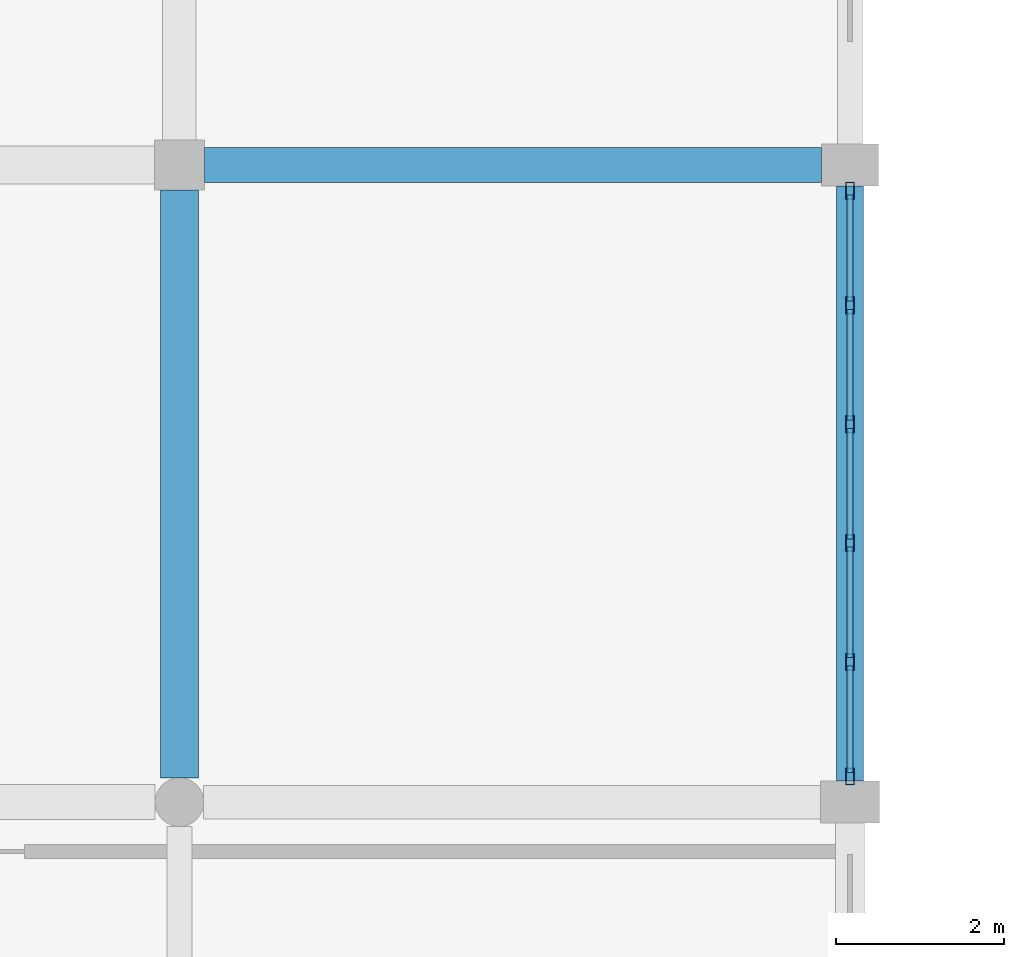
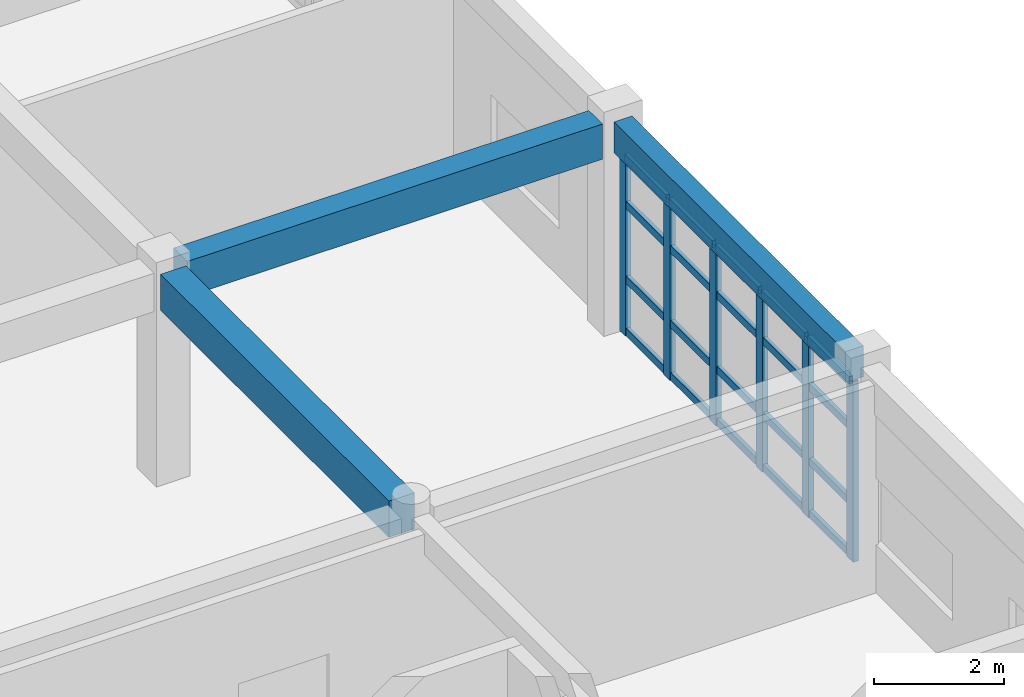
# One storey, part 65 of 121: 26 members, 3 beams, 1 element without a shape of its own.
"""IFC4 building model written with IfcOpenShell, lengths in metres."""

from ifc_helpers import new_model, si_unit, direction, frame, origin, origin_2d, place, context, subcontext, project, spatial, rectangle, hollow_rectangle, extrude, material, material_profile, profile_set, type_object, element, aggregate, save


model = new_model("IFC4")

# Units and contexts
model_context = context("Model", 3, precision=1e-05, world=origin(), true_north=direction((0.0, 1.0)))
body_context = subcontext(model_context, "Body", "Model", "MODEL_VIEW")
ifc_project = project(units=[si_unit("LENGTHUNIT", "METRE"), si_unit("AREAUNIT", "SQUARE_METRE"), si_unit("VOLUMEUNIT", "CUBIC_METRE"), si_unit("PLANEANGLEUNIT", "RADIAN"), si_unit("MASSUNIT", "GRAM", prefix="KILO")], contexts=[model_context])

# Site, building, storey
site_placement = place(None, origin())
site = spatial("IfcSite", under=ifc_project, at=site_placement, CompositionType="ELEMENT")
building_placement = place(site_placement, origin())
building = spatial("IfcBuilding", under=site, at=building_placement, Name="Kharva Crest Polytechnic", CompositionType="ELEMENT")
storey_placement = place(building_placement, frame((0.0, 0.0, 13.199951171875)))
storey = spatial("IfcBuildingStorey", under=building, at=storey_placement, Name="L03", CompositionType="ELEMENT", Elevation=13.199951171875)

# Beams
ifc_material_1 = material(Name="Concrete C35/45", Category="concrete")
ifc_material_profile_1 = material_profile(ifc_material_1, rectangle(XDim=0.419921875, YDim=0.659912109375, at=origin_2d()), Name="RECT 420 X 660")
ifc_profile_set_1 = profile_set([ifc_material_profile_1], Name="Concrete C35/45")
beam_type_1 = type_object("IfcBeamType", Name="BM-RC-420X660", PredefinedType="BEAM", material=ifc_profile_set_1)
beam_1_placement = place(storey_placement, frame((145.10009765625, 15.199951171875, 3.630126953125), z_axis=(1.0, 0.0, 0.0), x_axis=(0.0, 1.0, 0.0)))
element("IfcBeam", 1, at=beam_1_placement, inside=storey, type_object=beam_type_1, Name="L03 Beam C/19-20", PredefinedType="BEAM", context=body_context, shape_type="SweptSolid", body=[
    extrude(rectangle(XDim=0.419921875, YDim=0.659912109375, at=origin_2d()), origin(), (0.0, 0.0, 1.0), 7.35986328125),
])
ifc_material_profile_2 = material_profile(ifc_material_1, rectangle(XDim=0.449951171875, YDim=0.679931640625, at=origin_2d()), Name="RECT 450 X 680")
ifc_profile_set_2 = profile_set([ifc_material_profile_2], Name="Concrete C35/45")
beam_type_2 = type_object("IfcBeamType", Name="BM-RC-450X680", PredefinedType="BEAM", material=ifc_profile_set_2)
beam_2_placement = place(storey_placement, frame((144.800048828125, 7.889892578125, 3.6201171875), z_axis=(0.0, 1.0, 0.0), x_axis=(-1.0, 0.0, 0.0)))
element("IfcBeam", 2, at=beam_2_placement, inside=storey, type_object=beam_type_2, Name="L03 Girder 19/B-C", PredefinedType="BEAM", context=body_context, shape_type="SweptSolid", body=[
    extrude(rectangle(XDim=0.449951171875, YDim=0.679931640625, at=origin_2d()), origin(), (0.0, 0.0, 1.0), 7.010009765625),
])

# Curtain wall, members
ifc_material_2 = material(Name="Tempered insulated glass", Category="glass")
curtain_wall_type = type_object("IfcCurtainWallType", Name="CW-SYS-REFECTORY", PredefinedType="USERDEFINED", material=ifc_material_2)
curtain_wall_placement = place(storey_placement, origin())
curtain_wall = element("IfcCurtainWall", 3, at=curtain_wall_placement, inside=storey, type_object=curtain_wall_type, Name="L03 Glazed Curtain Wall CW-141", ObjectType="CURTAIN WALL", PredefinedType="USERDEFINED")
ifc_material_3 = material(Name="Steel S355", Category="steel")
ifc_material_profile_3 = material_profile(ifc_material_3, hollow_rectangle(XDim=0.10009765625, YDim=0.199951171875, WallThickness=0.00634765625, at=origin_2d()), Name="RHS 200X100X6.3")
ifc_profile_set_3 = profile_set([ifc_material_profile_3], Name="Steel S355")
member_type_1 = type_object("IfcMemberType", Name="CWM-RHS200X100", PredefinedType="MULLION", material=ifc_profile_set_3)
member_1_placement = place(storey_placement, frame((152.800048828125, 7.905029296875, 0.0), z_axis=(0.0, 0.0, 1.0), x_axis=(-1.0, 0.0, 0.0)))
member_1 = element("IfcMember", 4, at=member_1_placement, type_object=member_type_1, Name="CW-141 mullion 1", PredefinedType="MULLION", context=body_context, shape_type="SweptSolid", body=[
    extrude(hollow_rectangle(XDim=0.10009765625, YDim=0.199951171875, WallThickness=0.00634765625, at=origin_2d()), origin(), (0.0, 0.0, 1.0), 3.380126953125),
])
member_2_placement = place(storey_placement, frame((152.800048828125, 9.27294921875, 0.0), z_axis=(0.0, 0.0, 1.0), x_axis=(-1.0, 0.0, 0.0)))
member_2 = element("IfcMember", 5, at=member_2_placement, type_object=member_type_1, Name="CW-141 mullion 2", PredefinedType="MULLION", context=body_context, shape_type="SweptSolid", body=[
    extrude(hollow_rectangle(XDim=0.10009765625, YDim=0.199951171875, WallThickness=0.00634765625, at=origin_2d()), origin(), (0.0, 0.0, 1.0), 3.380126953125),
])
member_3_placement = place(storey_placement, frame((152.800048828125, 10.69091796875, 0.0), z_axis=(0.0, 0.0, 1.0), x_axis=(-1.0, 0.0, 0.0)))
member_3 = element("IfcMember", 6, at=member_3_placement, type_object=member_type_1, Name="CW-141 mullion 3", PredefinedType="MULLION", context=body_context, shape_type="SweptSolid", body=[
    extrude(hollow_rectangle(XDim=0.10009765625, YDim=0.199951171875, WallThickness=0.00634765625, at=origin_2d()), origin(), (0.0, 0.0, 1.0), 3.380126953125),
])
member_4_placement = place(storey_placement, frame((152.800048828125, 12.10888671875, 0.0), z_axis=(0.0, 0.0, 1.0), x_axis=(-1.0, 0.0, 0.0)))
member_4 = element("IfcMember", 7, at=member_4_placement, type_object=member_type_1, Name="CW-141 mullion 4", PredefinedType="MULLION", context=body_context, shape_type="SweptSolid", body=[
    extrude(hollow_rectangle(XDim=0.10009765625, YDim=0.199951171875, WallThickness=0.00634765625, at=origin_2d()), origin(), (0.0, 0.0, 1.0), 3.380126953125),
])
member_5_placement = place(storey_placement, frame((152.800048828125, 13.527099609375, 0.0), z_axis=(0.0, 0.0, 1.0), x_axis=(-1.0, 0.0, 0.0)))
member_5 = element("IfcMember", 8, at=member_5_placement, type_object=member_type_1, Name="CW-141 mullion 5", PredefinedType="MULLION", context=body_context, shape_type="SweptSolid", body=[
    extrude(hollow_rectangle(XDim=0.10009765625, YDim=0.199951171875, WallThickness=0.00634765625, at=origin_2d()), origin(), (0.0, 0.0, 1.0), 3.380126953125),
])
member_6_placement = place(storey_placement, frame((152.800048828125, 14.89501953125, 0.0), z_axis=(0.0, 0.0, 1.0), x_axis=(-1.0, 0.0, 0.0)))
member_6 = element("IfcMember", 9, at=member_6_placement, type_object=member_type_1, Name="CW-141 mullion 6", PredefinedType="MULLION", context=body_context, shape_type="SweptSolid", body=[
    extrude(hollow_rectangle(XDim=0.10009765625, YDim=0.199951171875, WallThickness=0.00634765625, at=origin_2d()), origin(), (0.0, 0.0, 1.0), 3.380126953125),
])
ifc_material_profile_4 = material_profile(ifc_material_3, hollow_rectangle(XDim=0.070068359375, YDim=0.139892578125, WallThickness=0.00390625, at=origin_2d()), Name="RHS 140X70X4.0")
ifc_profile_set_4 = profile_set([ifc_material_profile_4], Name="Steel S355")
member_type_2 = type_object("IfcMemberType", Name="CWT-RHS140X70", PredefinedType="USERDEFINED", material=ifc_profile_set_4)
member_7_placement = place(storey_placement, frame((152.800048828125, 7.955078125, 0.070068359375), z_axis=(0.0, 1.0, 0.0), x_axis=(-1.0, 0.0, 0.0)))
member_7 = element("IfcMember", 10, at=member_7_placement, type_object=member_type_2, Name="CW-141 transom 1.1", ObjectType="TRANSOM", PredefinedType="USERDEFINED", context=body_context, shape_type="SweptSolid", body=[
    extrude(hollow_rectangle(XDim=0.070068359375, YDim=0.139892578125, WallThickness=0.00390625, at=origin_2d()), origin(), (0.0, 0.0, 1.0), 1.267822265625),
])
member_8_placement = place(storey_placement, frame((152.800048828125, 7.955078125, 1.050048828125), z_axis=(0.0, 1.0, 0.0), x_axis=(-1.0, 0.0, 0.0)))
member_8 = element("IfcMember", 11, at=member_8_placement, type_object=member_type_2, Name="CW-141 transom 1.2", ObjectType="TRANSOM", PredefinedType="USERDEFINED", context=body_context, shape_type="SweptSolid", body=[
    extrude(hollow_rectangle(XDim=0.070068359375, YDim=0.139892578125, WallThickness=0.00390625, at=origin_2d()), origin(), (0.0, 0.0, 1.0), 1.267822265625),
])
member_9_placement = place(storey_placement, frame((152.800048828125, 7.955078125, 2.449951171875), z_axis=(0.0, 1.0, 0.0), x_axis=(-1.0, 0.0, 0.0)))
member_9 = element("IfcMember", 12, at=member_9_placement, type_object=member_type_2, Name="CW-141 transom 1.3", ObjectType="TRANSOM", PredefinedType="USERDEFINED", context=body_context, shape_type="SweptSolid", body=[
    extrude(hollow_rectangle(XDim=0.070068359375, YDim=0.139892578125, WallThickness=0.00390625, at=origin_2d()), origin(), (0.0, 0.0, 1.0), 1.267822265625),
])
member_10_placement = place(storey_placement, frame((152.800048828125, 7.955078125, 3.31005859375), z_axis=(0.0, 1.0, 0.0), x_axis=(-1.0, 0.0, 0.0)))
member_10 = element("IfcMember", 13, at=member_10_placement, type_object=member_type_2, Name="CW-141 transom 1.4", ObjectType="TRANSOM", PredefinedType="USERDEFINED", context=body_context, shape_type="SweptSolid", body=[
    extrude(hollow_rectangle(XDim=0.070068359375, YDim=0.139892578125, WallThickness=0.00390625, at=origin_2d()), origin(), (0.0, 0.0, 1.0), 1.267822265625),
])
member_11_placement = place(storey_placement, frame((152.800048828125, 9.322998046875, 0.070068359375), z_axis=(0.0, 1.0, 0.0), x_axis=(-1.0, 0.0, 0.0)))
member_11 = element("IfcMember", 14, at=member_11_placement, type_object=member_type_2, Name="CW-141 transom 2.1", ObjectType="TRANSOM", PredefinedType="USERDEFINED", context=body_context, shape_type="SweptSolid", body=[
    extrude(hollow_rectangle(XDim=0.070068359375, YDim=0.139892578125, WallThickness=0.00390625, at=origin_2d()), origin(), (0.0, 0.0, 1.0), 1.318115234375),
])
member_12_placement = place(storey_placement, frame((152.800048828125, 9.322998046875, 1.050048828125), z_axis=(0.0, 1.0, 0.0), x_axis=(-1.0, 0.0, 0.0)))
member_12 = element("IfcMember", 15, at=member_12_placement, type_object=member_type_2, Name="CW-141 transom 2.2", ObjectType="TRANSOM", PredefinedType="USERDEFINED", context=body_context, shape_type="SweptSolid", body=[
    extrude(hollow_rectangle(XDim=0.070068359375, YDim=0.139892578125, WallThickness=0.00390625, at=origin_2d()), origin(), (0.0, 0.0, 1.0), 1.318115234375),
])
member_13_placement = place(storey_placement, frame((152.800048828125, 9.322998046875, 2.449951171875), z_axis=(0.0, 1.0, 0.0), x_axis=(-1.0, 0.0, 0.0)))
member_13 = element("IfcMember", 16, at=member_13_placement, type_object=member_type_2, Name="CW-141 transom 2.3", ObjectType="TRANSOM", PredefinedType="USERDEFINED", context=body_context, shape_type="SweptSolid", body=[
    extrude(hollow_rectangle(XDim=0.070068359375, YDim=0.139892578125, WallThickness=0.00390625, at=origin_2d()), origin(), (0.0, 0.0, 1.0), 1.318115234375),
])
member_14_placement = place(storey_placement, frame((152.800048828125, 9.322998046875, 3.31005859375), z_axis=(0.0, 1.0, 0.0), x_axis=(-1.0, 0.0, 0.0)))
member_14 = element("IfcMember", 17, at=member_14_placement, type_object=member_type_2, Name="CW-141 transom 2.4", ObjectType="TRANSOM", PredefinedType="USERDEFINED", context=body_context, shape_type="SweptSolid", body=[
    extrude(hollow_rectangle(XDim=0.070068359375, YDim=0.139892578125, WallThickness=0.00390625, at=origin_2d()), origin(), (0.0, 0.0, 1.0), 1.318115234375),
])
member_15_placement = place(storey_placement, frame((152.800048828125, 10.740966796875, 0.070068359375), z_axis=(0.0, 1.0, 0.0), x_axis=(-1.0, 0.0, 0.0)))
member_15 = element("IfcMember", 18, at=member_15_placement, type_object=member_type_2, Name="CW-141 transom 3.1", ObjectType="TRANSOM", PredefinedType="USERDEFINED", context=body_context, shape_type="SweptSolid", body=[
    extrude(hollow_rectangle(XDim=0.070068359375, YDim=0.139892578125, WallThickness=0.00390625, at=origin_2d()), origin(), (0.0, 0.0, 1.0), 1.318115234375),
])
member_16_placement = place(storey_placement, frame((152.800048828125, 10.740966796875, 1.050048828125), z_axis=(0.0, 1.0, 0.0), x_axis=(-1.0, 0.0, 0.0)))
member_16 = element("IfcMember", 19, at=member_16_placement, type_object=member_type_2, Name="CW-141 transom 3.2", ObjectType="TRANSOM", PredefinedType="USERDEFINED", context=body_context, shape_type="SweptSolid", body=[
    extrude(hollow_rectangle(XDim=0.070068359375, YDim=0.139892578125, WallThickness=0.00390625, at=origin_2d()), origin(), (0.0, 0.0, 1.0), 1.318115234375),
])
member_17_placement = place(storey_placement, frame((152.800048828125, 10.740966796875, 2.449951171875), z_axis=(0.0, 1.0, 0.0), x_axis=(-1.0, 0.0, 0.0)))
member_17 = element("IfcMember", 20, at=member_17_placement, type_object=member_type_2, Name="CW-141 transom 3.3", ObjectType="TRANSOM", PredefinedType="USERDEFINED", context=body_context, shape_type="SweptSolid", body=[
    extrude(hollow_rectangle(XDim=0.070068359375, YDim=0.139892578125, WallThickness=0.00390625, at=origin_2d()), origin(), (0.0, 0.0, 1.0), 1.318115234375),
])
member_18_placement = place(storey_placement, frame((152.800048828125, 10.740966796875, 3.31005859375), z_axis=(0.0, 1.0, 0.0), x_axis=(-1.0, 0.0, 0.0)))
member_18 = element("IfcMember", 21, at=member_18_placement, type_object=member_type_2, Name="CW-141 transom 3.4", ObjectType="TRANSOM", PredefinedType="USERDEFINED", context=body_context, shape_type="SweptSolid", body=[
    extrude(hollow_rectangle(XDim=0.070068359375, YDim=0.139892578125, WallThickness=0.00390625, at=origin_2d()), origin(), (0.0, 0.0, 1.0), 1.318115234375),
])
member_19_placement = place(storey_placement, frame((152.800048828125, 12.158935546875, 0.070068359375), z_axis=(0.0, 1.0, 0.0), x_axis=(-1.0, 0.0, 0.0)))
member_19 = element("IfcMember", 22, at=member_19_placement, type_object=member_type_2, Name="CW-141 transom 4.1", ObjectType="TRANSOM", PredefinedType="USERDEFINED", context=body_context, shape_type="SweptSolid", body=[
    extrude(hollow_rectangle(XDim=0.070068359375, YDim=0.139892578125, WallThickness=0.00390625, at=origin_2d()), origin(), (0.0, 0.0, 1.0), 1.318115234375),
])
member_20_placement = place(storey_placement, frame((152.800048828125, 12.158935546875, 1.050048828125), z_axis=(0.0, 1.0, 0.0), x_axis=(-1.0, 0.0, 0.0)))
member_20 = element("IfcMember", 23, at=member_20_placement, type_object=member_type_2, Name="CW-141 transom 4.2", ObjectType="TRANSOM", PredefinedType="USERDEFINED", context=body_context, shape_type="SweptSolid", body=[
    extrude(hollow_rectangle(XDim=0.070068359375, YDim=0.139892578125, WallThickness=0.00390625, at=origin_2d()), origin(), (0.0, 0.0, 1.0), 1.318115234375),
])
member_21_placement = place(storey_placement, frame((152.800048828125, 12.158935546875, 2.449951171875), z_axis=(0.0, 1.0, 0.0), x_axis=(-1.0, 0.0, 0.0)))
member_21 = element("IfcMember", 24, at=member_21_placement, type_object=member_type_2, Name="CW-141 transom 4.3", ObjectType="TRANSOM", PredefinedType="USERDEFINED", context=body_context, shape_type="SweptSolid", body=[
    extrude(hollow_rectangle(XDim=0.070068359375, YDim=0.139892578125, WallThickness=0.00390625, at=origin_2d()), origin(), (0.0, 0.0, 1.0), 1.318115234375),
])
member_22_placement = place(storey_placement, frame((152.800048828125, 12.158935546875, 3.31005859375), z_axis=(0.0, 1.0, 0.0), x_axis=(-1.0, 0.0, 0.0)))
member_22 = element("IfcMember", 25, at=member_22_placement, type_object=member_type_2, Name="CW-141 transom 4.4", ObjectType="TRANSOM", PredefinedType="USERDEFINED", context=body_context, shape_type="SweptSolid", body=[
    extrude(hollow_rectangle(XDim=0.070068359375, YDim=0.139892578125, WallThickness=0.00390625, at=origin_2d()), origin(), (0.0, 0.0, 1.0), 1.318115234375),
])
member_23_placement = place(storey_placement, frame((152.800048828125, 13.576904296875, 0.070068359375), z_axis=(0.0, 1.0, 0.0), x_axis=(-1.0, 0.0, 0.0)))
member_23 = element("IfcMember", 26, at=member_23_placement, type_object=member_type_2, Name="CW-141 transom 5.1", ObjectType="TRANSOM", PredefinedType="USERDEFINED", context=body_context, shape_type="SweptSolid", body=[
    extrude(hollow_rectangle(XDim=0.070068359375, YDim=0.139892578125, WallThickness=0.00390625, at=origin_2d()), origin(), (0.0, 0.0, 1.0), 1.26806640625),
])
member_24_placement = place(storey_placement, frame((152.800048828125, 13.576904296875, 1.050048828125), z_axis=(0.0, 1.0, 0.0), x_axis=(-1.0, 0.0, 0.0)))
member_24 = element("IfcMember", 27, at=member_24_placement, type_object=member_type_2, Name="CW-141 transom 5.2", ObjectType="TRANSOM", PredefinedType="USERDEFINED", context=body_context, shape_type="SweptSolid", body=[
    extrude(hollow_rectangle(XDim=0.070068359375, YDim=0.139892578125, WallThickness=0.00390625, at=origin_2d()), origin(), (0.0, 0.0, 1.0), 1.26806640625),
])
member_25_placement = place(storey_placement, frame((152.800048828125, 13.576904296875, 2.449951171875), z_axis=(0.0, 1.0, 0.0), x_axis=(-1.0, 0.0, 0.0)))
member_25 = element("IfcMember", 28, at=member_25_placement, type_object=member_type_2, Name="CW-141 transom 5.3", ObjectType="TRANSOM", PredefinedType="USERDEFINED", context=body_context, shape_type="SweptSolid", body=[
    extrude(hollow_rectangle(XDim=0.070068359375, YDim=0.139892578125, WallThickness=0.00390625, at=origin_2d()), origin(), (0.0, 0.0, 1.0), 1.26806640625),
])
member_26_placement = place(storey_placement, frame((152.800048828125, 13.576904296875, 3.31005859375), z_axis=(0.0, 1.0, 0.0), x_axis=(-1.0, 0.0, 0.0)))
member_26 = element("IfcMember", 29, at=member_26_placement, type_object=member_type_2, Name="CW-141 transom 5.4", ObjectType="TRANSOM", PredefinedType="USERDEFINED", context=body_context, shape_type="SweptSolid", body=[
    extrude(hollow_rectangle(XDim=0.070068359375, YDim=0.139892578125, WallThickness=0.00390625, at=origin_2d()), origin(), (0.0, 0.0, 1.0), 1.26806640625),
])
aggregate(curtain_wall, [member_1, member_2, member_3, member_4, member_5, member_6, member_7, member_8, member_9, member_10, member_11, member_12, member_13, member_14, member_15, member_16, member_17, member_18, member_19, member_20, member_21, member_22, member_23, member_24, member_25, member_26])

# Beam
ifc_material_profile_5 = material_profile(ifc_material_1, rectangle(XDim=0.320068359375, YDim=0.580078125, at=origin_2d()), Name="RECT 320 X 580")
ifc_profile_set_5 = profile_set([ifc_material_profile_5], Name="Concrete C35/45")
beam_type_3 = type_object("IfcBeamType", Name="SP-RC-320X580", PredefinedType="SPANDREL", material=ifc_profile_set_5)
beam_3_placement = place(storey_placement, frame((152.800048828125, 7.85009765625, 3.670166015625), z_axis=(0.0, 1.0, 0.0), x_axis=(-1.0, 0.0, 0.0)))
element("IfcBeam", 30, at=beam_3_placement, inside=storey, type_object=beam_type_3, Name="L03 Girder 20/B-C", PredefinedType="SPANDREL", context=body_context, shape_type="SweptSolid", body=[
    extrude(rectangle(XDim=0.320068359375, YDim=0.580078125, at=origin_2d()), origin(), (0.0, 0.0, 1.0), 7.099853515625),
])

save(model, "model.ifc")
